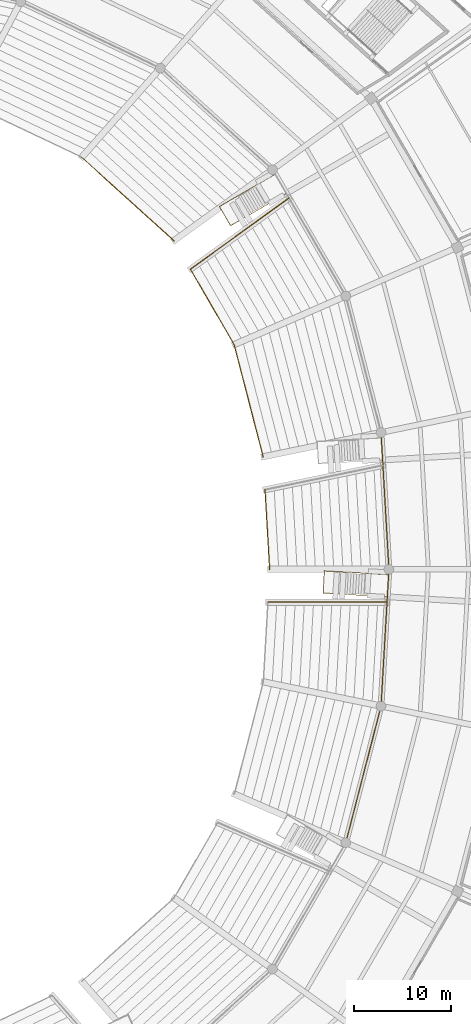
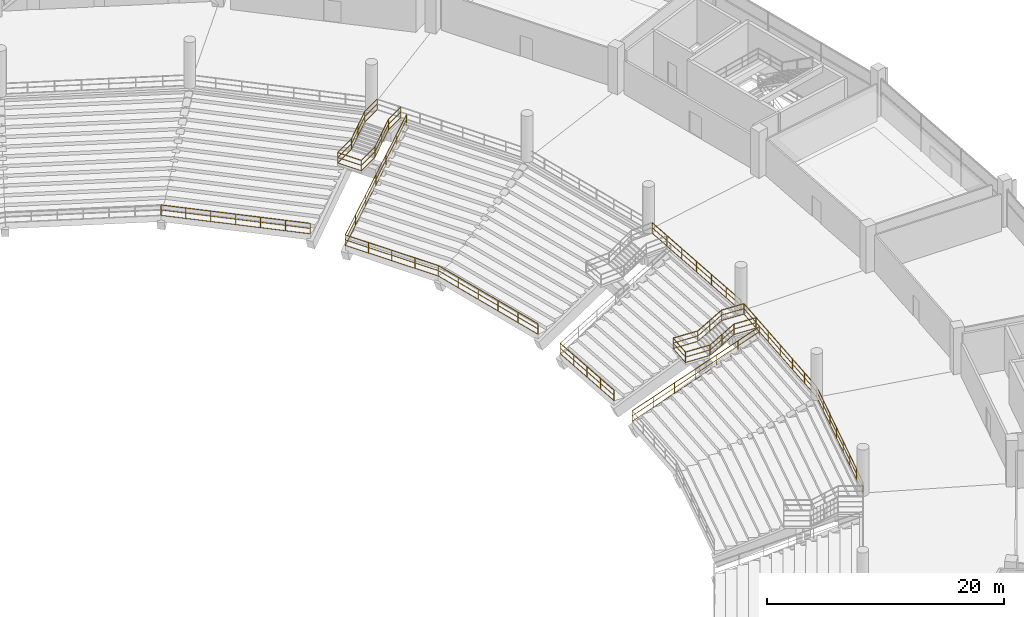
# One storey, part 150 of 156: 11 railings.
"""IFC4 building model written with IfcOpenShell, lengths in metres."""

from ifc_helpers import new_model, si_unit, direction, frame, origin, origin_2d, place, context, subcontext, project, spatial, rectangle, extrude, material, type_object, element, save


model = new_model("IFC4")

# Units and contexts
model_context = context("Model", 3, precision=1e-05, world=origin(), true_north=direction((0.0, 1.0)))
body_context = subcontext(model_context, "Body", "Model", "MODEL_VIEW")
ifc_project = project(units=[si_unit("LENGTHUNIT", "METRE"), si_unit("AREAUNIT", "SQUARE_METRE"), si_unit("VOLUMEUNIT", "CUBIC_METRE"), si_unit("PLANEANGLEUNIT", "RADIAN"), si_unit("MASSUNIT", "GRAM", prefix="KILO")], contexts=[model_context])

# Site, building, storey
site_placement = place(None, origin())
site = spatial("IfcSite", under=ifc_project, at=site_placement, CompositionType="ELEMENT")
building_placement = place(site_placement, origin())
building = spatial("IfcBuilding", under=site, at=building_placement, Name="Kazemori Nagisa Stadium", CompositionType="ELEMENT")
storey_placement = place(building_placement, frame((0.0, 0.0, 5.780029296875)))
storey = spatial("IfcBuildingStorey", under=building, at=storey_placement, Name="L01", CompositionType="ELEMENT", Elevation=5.780029296875)

# Railings
ifc_material_1 = material(Name="Laminated safety glass and stainless steel SUS304", Category="steel")
railing_type_1 = type_object("IfcRailingType", Name="Rail_BAL", PredefinedType="BALUSTRADE", material=ifc_material_1)
railing_1_placement = place(storey_placement, frame((192.35009765625, 102.0, 0.0)))
element("IfcRailing", 1, at=railing_1_placement, inside=storey, type_object=railing_type_1, Name="Concourse bowl balustrade L01-B01", PredefinedType="BALUSTRADE", context=body_context, shape_type="SweptSolid", body=[
    extrude(rectangle(XDim=0.050048828125, YDim=0.050048828125, at=origin_2d()), frame((0.0, 0.0, 1.09521484375), z_axis=(-0.057606145226, 0.998339387199, 0.0), x_axis=(-0.998339387199, -0.057606145226, 0.0)), (0.0, 0.0, 1.0), 13.634033203125),
    extrude(rectangle(XDim=0.03759765625, YDim=0.03759765625, at=origin_2d()), frame((0.0, 0.0, 0.58251953125), z_axis=(-0.057606145226, 0.998339387199, 0.0), x_axis=(-0.998339387199, -0.057606145226, 0.0)), (0.0, 0.0, 1.0), 13.634033203125),
    extrude(rectangle(XDim=0.03759765625, YDim=0.03759765625, at=origin_2d()), frame((0.0, 0.0, 0.02490234375), z_axis=(-0.057606145226, 0.998339387199, 0.0), x_axis=(-0.998339387199, -0.057606145226, 0.0)), (0.0, 0.0, 1.0), 13.634033203125),
    extrude(rectangle(XDim=0.044921875, YDim=0.044921875, at=origin_2d()), origin(), (0.0, 0.0, 1.0), 1.070068359375),
    extrude(rectangle(XDim=0.044921875, YDim=0.044921875, at=origin_2d()), frame((-0.130859375, 2.2685546875, 0.0)), (0.0, 0.0, 1.0), 1.070068359375),
    extrude(rectangle(XDim=0.044921875, YDim=0.044921875, at=origin_2d()), frame((-0.26171875, 4.537109375, 0.0)), (0.0, 0.0, 1.0), 1.070068359375),
    extrude(rectangle(XDim=0.044921875, YDim=0.044921875, at=origin_2d()), frame((-0.392578125, 6.8056640625, 0.0)), (0.0, 0.0, 1.0), 1.070068359375),
    extrude(rectangle(XDim=0.044921875, YDim=0.044921875, at=origin_2d()), frame((-0.523681640625, 9.07421875, 0.0)), (0.0, 0.0, 1.0), 1.070068359375),
    extrude(rectangle(XDim=0.044921875, YDim=0.044921875, at=origin_2d()), frame((-0.654541015625, 11.3427734375, 0.0)), (0.0, 0.0, 1.0), 1.070068359375),
    extrude(rectangle(XDim=0.044921875, YDim=0.044921875, at=origin_2d()), frame((-0.785400390625, 13.611328125, 0.0)), (0.0, 0.0, 1.0), 1.070068359375),
])
railing_2_placement = place(storey_placement, frame((187.885986328125, 73.712890625, 0.0)))
element("IfcRailing", 2, at=railing_2_placement, inside=storey, type_object=railing_type_1, Name="Concourse bowl balustrade L01-B27", PredefinedType="BALUSTRADE", context=body_context, shape_type="SweptSolid", body=[
    extrude(rectangle(XDim=0.050048828125, YDim=0.050048828125, at=origin_2d()), frame((0.0, 0.0, 1.09521484375), z_axis=(0.249966077383, 0.9682545947, 0.0), x_axis=(-0.9682545947, 0.249966077383, 0.0)), (0.0, 0.0, 1.0), 14.58984375),
    extrude(rectangle(XDim=0.03759765625, YDim=0.03759765625, at=origin_2d()), frame((0.0, 0.0, 0.58251953125), z_axis=(0.249966077383, 0.9682545947, 0.0), x_axis=(-0.9682545947, 0.249966077383, 0.0)), (0.0, 0.0, 1.0), 14.58984375),
    extrude(rectangle(XDim=0.03759765625, YDim=0.03759765625, at=origin_2d()), frame((0.0, 0.0, 0.02490234375), z_axis=(0.249966077383, 0.9682545947, 0.0), x_axis=(-0.9682545947, 0.249966077383, 0.0)), (0.0, 0.0, 1.0), 14.58984375),
    extrude(rectangle(XDim=0.044921875, YDim=0.044921875, at=origin_2d()), origin(), (0.0, 0.0, 1.0), 1.070068359375),
    extrude(rectangle(XDim=0.044921875, YDim=0.044921875, at=origin_2d()), frame((0.52099609375, 2.01806640625, 0.0)), (0.0, 0.0, 1.0), 1.070068359375),
    extrude(rectangle(XDim=0.044921875, YDim=0.044921875, at=origin_2d()), frame((1.0419921875, 4.0361328125, 0.0)), (0.0, 0.0, 1.0), 1.070068359375),
    extrude(rectangle(XDim=0.044921875, YDim=0.044921875, at=origin_2d()), frame((1.56298828125, 6.05419921875, 0.0)), (0.0, 0.0, 1.0), 1.070068359375),
    extrude(rectangle(XDim=0.044921875, YDim=0.044921875, at=origin_2d()), frame((2.083984375, 8.072509765625, 0.0)), (0.0, 0.0, 1.0), 1.070068359375),
    extrude(rectangle(XDim=0.044921875, YDim=0.044921875, at=origin_2d()), frame((2.60498046875, 10.090576171875, 0.0)), (0.0, 0.0, 1.0), 1.070068359375),
    extrude(rectangle(XDim=0.044921875, YDim=0.044921875, at=origin_2d()), frame((3.1259765625, 12.108642578125, 0.0)), (0.0, 0.0, 1.0), 1.070068359375),
    extrude(rectangle(XDim=0.044921875, YDim=0.044921875, at=origin_2d()), frame((3.64697265625, 14.126708984375, 0.0)), (0.0, 0.0, 1.0), 1.070068359375),
])
railing_3_placement = place(storey_placement, frame((191.532958984375, 87.839599609375, 0.0)))
element("IfcRailing", 3, at=railing_3_placement, inside=storey, type_object=railing_type_1, Name="Concourse bowl balustrade L01-B28", PredefinedType="BALUSTRADE", context=body_context, shape_type="SweptSolid", body=[
    extrude(rectangle(XDim=0.050048828125, YDim=0.050048828125, at=origin_2d()), frame((0.0, 0.0, 1.09521484375), z_axis=(0.057606145226, 0.998339387199, 0.0), x_axis=(-0.998339387199, 0.057606145226, 0.0)), (0.0, 0.0, 1.0), 13.634033203125),
    extrude(rectangle(XDim=0.03759765625, YDim=0.03759765625, at=origin_2d()), frame((0.0, 0.0, 0.58251953125), z_axis=(0.057606145226, 0.998339387199, 0.0), x_axis=(-0.998339387199, 0.057606145226, 0.0)), (0.0, 0.0, 1.0), 13.634033203125),
    extrude(rectangle(XDim=0.03759765625, YDim=0.03759765625, at=origin_2d()), frame((0.0, 0.0, 0.02490234375), z_axis=(0.057606145226, 0.998339387199, 0.0), x_axis=(-0.998339387199, 0.057606145226, 0.0)), (0.0, 0.0, 1.0), 13.634033203125),
    extrude(rectangle(XDim=0.044921875, YDim=0.044921875, at=origin_2d()), origin(), (0.0, 0.0, 1.0), 1.070068359375),
    extrude(rectangle(XDim=0.044921875, YDim=0.044921875, at=origin_2d()), frame((0.130859375, 2.2685546875, 0.0)), (0.0, 0.0, 1.0), 1.070068359375),
    extrude(rectangle(XDim=0.044921875, YDim=0.044921875, at=origin_2d()), frame((0.26171875, 4.537109375, 0.0)), (0.0, 0.0, 1.0), 1.070068359375),
    extrude(rectangle(XDim=0.044921875, YDim=0.044921875, at=origin_2d()), frame((0.392578125, 6.8056640625, 0.0)), (0.0, 0.0, 1.0), 1.070068359375),
    extrude(rectangle(XDim=0.044921875, YDim=0.044921875, at=origin_2d()), frame((0.523681640625, 9.07421875, 0.0)), (0.0, 0.0, 1.0), 1.070068359375),
    extrude(rectangle(XDim=0.044921875, YDim=0.044921875, at=origin_2d()), frame((0.654541015625, 11.3427734375, 0.0)), (0.0, 0.0, 1.0), 1.070068359375),
    extrude(rectangle(XDim=0.044921875, YDim=0.044921875, at=origin_2d()), frame((0.785400390625, 13.611328125, 0.0)), (0.0, 0.0, 1.0), 1.070068359375),
])
ifc_material_2 = material(Name="Galvanised powder-coated steel", Category="steel")
railing_type_2 = type_object("IfcRailingType", Name="Rail_GUARD", PredefinedType="GUARDRAIL", material=ifc_material_2)
railing_4_placement = place(storey_placement, frame((180.577392578125, 142.8916015625, 0.0)))
element("IfcRailing", 4, at=railing_4_placement, inside=storey, type_object=railing_type_2, Name="Vomitory stair guard VL02", PredefinedType="GUARDRAIL", context=body_context, shape_type="SweptSolid", body=[
    extrude(rectangle(XDim=0.050048828125, YDim=0.050048828125, at=origin_2d()), frame((0.0, 0.0, 1.09521484375), z_axis=(-0.865070542183, -0.501650233775, 0.0), x_axis=(0.501650233775, -0.865070542183, 0.0)), (0.0, 0.0, 1.0), 2.10009765625),
    extrude(rectangle(XDim=0.03759765625, YDim=0.03759765625, at=origin_2d()), frame((0.0, 0.0, 0.58251953125), z_axis=(-0.865070542183, -0.501650233775, 0.0), x_axis=(0.501650233775, -0.865070542183, 0.0)), (0.0, 0.0, 1.0), 2.10009765625),
    extrude(rectangle(XDim=0.03759765625, YDim=0.03759765625, at=origin_2d()), frame((0.0, 0.0, 0.02490234375), z_axis=(-0.865070542183, -0.501650233775, 0.0), x_axis=(0.501650233775, -0.865070542183, 0.0)), (0.0, 0.0, 1.0), 2.10009765625),
    extrude(rectangle(XDim=0.050048828125, YDim=0.050048828125, at=origin_2d()), frame((-1.816650390625, -1.053466796875, 1.09521484375), z_axis=(-0.72861764717, -0.422528773566, -0.539060070624), x_axis=(0.501656377923, -0.865066979192, 0.0)), (0.0, 0.0, 1.0), 2.671142578125),
    extrude(rectangle(XDim=0.03759765625, YDim=0.03759765625, at=origin_2d()), frame((-1.816650390625, -1.053466796875, 0.58251953125), z_axis=(-0.72861764717, -0.422528773566, -0.539060070624), x_axis=(0.501656377923, -0.865066979192, 0.0)), (0.0, 0.0, 1.0), 2.671142578125),
    extrude(rectangle(XDim=0.03759765625, YDim=0.03759765625, at=origin_2d()), frame((-1.816650390625, -1.053466796875, 0.02490234375), z_axis=(-0.72861764717, -0.422528773566, -0.539060070624), x_axis=(0.501656377923, -0.865066979192, 0.0)), (0.0, 0.0, 1.0), 2.671142578125),
    extrude(rectangle(XDim=0.050048828125, YDim=0.050048828125, at=origin_2d()), frame((-3.762939453125, -2.18212890625, -0.3447265625), z_axis=(-0.865130736866, -0.501546416726, 0.0), x_axis=(0.501546416726, -0.865130736866, 0.0)), (0.0, 0.0, 1.0), 2.320068359375),
    extrude(rectangle(XDim=0.03759765625, YDim=0.03759765625, at=origin_2d()), frame((-3.762939453125, -2.18212890625, -0.857421875), z_axis=(-0.865130736866, -0.501546416726, 0.0), x_axis=(0.501546416726, -0.865130736866, 0.0)), (0.0, 0.0, 1.0), 2.320068359375),
    extrude(rectangle(XDim=0.03759765625, YDim=0.03759765625, at=origin_2d()), frame((-3.762939453125, -2.18212890625, -1.4150390625), z_axis=(-0.865130736866, -0.501546416726, 0.0), x_axis=(0.501546416726, -0.865130736866, 0.0)), (0.0, 0.0, 1.0), 2.320068359375),
    extrude(rectangle(XDim=0.050048828125, YDim=0.050048828125, at=origin_2d()), frame((-5.77001953125, -3.345703125, -0.3447265625), z_axis=(0.501559221539, -0.865123313343, 0.0), x_axis=(0.865123313343, 0.501559221539, 0.0)), (0.0, 0.0, 1.0), 2.300048828125),
    extrude(rectangle(XDim=0.03759765625, YDim=0.03759765625, at=origin_2d()), frame((-5.77001953125, -3.345703125, -0.857421875), z_axis=(0.501559221539, -0.865123313343, 0.0), x_axis=(0.865123313343, 0.501559221539, 0.0)), (0.0, 0.0, 1.0), 2.300048828125),
    extrude(rectangle(XDim=0.03759765625, YDim=0.03759765625, at=origin_2d()), frame((-5.77001953125, -3.345703125, -1.4150390625), z_axis=(0.501559221539, -0.865123313343, 0.0), x_axis=(0.865123313343, 0.501559221539, 0.0)), (0.0, 0.0, 1.0), 2.300048828125),
    extrude(rectangle(XDim=0.050048828125, YDim=0.050048828125, at=origin_2d()), frame((-4.616455078125, -5.33544921875, -0.3447265625), z_axis=(0.865085074212, 0.501625173187, 0.0), x_axis=(-0.501625173187, 0.865085074212, 0.0)), (0.0, 0.0, 1.0), 2.320068359375),
    extrude(rectangle(XDim=0.03759765625, YDim=0.03759765625, at=origin_2d()), frame((-4.616455078125, -5.33544921875, -0.857421875), z_axis=(0.865085074212, 0.501625173187, 0.0), x_axis=(-0.501625173187, 0.865085074212, 0.0)), (0.0, 0.0, 1.0), 2.320068359375),
    extrude(rectangle(XDim=0.03759765625, YDim=0.03759765625, at=origin_2d()), frame((-4.616455078125, -5.33544921875, -1.4150390625), z_axis=(0.865085074212, 0.501625173187, 0.0), x_axis=(-0.501625173187, 0.865085074212, 0.0)), (0.0, 0.0, 1.0), 2.320068359375),
    extrude(rectangle(XDim=0.050048828125, YDim=0.050048828125, at=origin_2d()), frame((-2.609375, -4.171630859375, -0.3447265625), z_axis=(0.728688652937, 0.422425555484, 0.539044986206), x_axis=(-0.501528081562, 0.865141366139, 0.0)), (0.0, 0.0, 1.0), 2.67138671875),
    extrude(rectangle(XDim=0.03759765625, YDim=0.03759765625, at=origin_2d()), frame((-2.609375, -4.171630859375, -0.857421875), z_axis=(0.728688652937, 0.422425555484, 0.539044986206), x_axis=(-0.501528081562, 0.865141366139, 0.0)), (0.0, 0.0, 1.0), 2.67138671875),
    extrude(rectangle(XDim=0.03759765625, YDim=0.03759765625, at=origin_2d()), frame((-2.609375, -4.171630859375, -1.4150390625), z_axis=(0.728688652937, 0.422425555484, 0.539044986206), x_axis=(-0.501528081562, 0.865141366139, 0.0)), (0.0, 0.0, 1.0), 2.67138671875),
    extrude(rectangle(XDim=0.050048828125, YDim=0.050048828125, at=origin_2d()), frame((-0.662841796875, -3.043212890625, 1.09521484375), z_axis=(0.865070542183, 0.501650233775, 0.0), x_axis=(-0.501650233775, 0.865070542183, 0.0)), (0.0, 0.0, 1.0), 2.10009765625),
    extrude(rectangle(XDim=0.03759765625, YDim=0.03759765625, at=origin_2d()), frame((-0.662841796875, -3.043212890625, 0.58251953125), z_axis=(0.865070542183, 0.501650233775, 0.0), x_axis=(-0.501650233775, 0.865070542183, 0.0)), (0.0, 0.0, 1.0), 2.10009765625),
    extrude(rectangle(XDim=0.03759765625, YDim=0.03759765625, at=origin_2d()), frame((-0.662841796875, -3.043212890625, 0.02490234375), z_axis=(0.865070542183, 0.501650233775, 0.0), x_axis=(-0.501650233775, 0.865070542183, 0.0)), (0.0, 0.0, 1.0), 2.10009765625),
    extrude(rectangle(XDim=0.044921875, YDim=0.044921875, at=origin_2d()), origin(), (0.0, 0.0, 1.0), 1.070068359375),
    extrude(rectangle(XDim=0.044921875, YDim=0.044921875, at=origin_2d()), frame((-1.816650390625, -1.053466796875, 0.0)), (0.0, 0.0, 1.0), 1.070068359375),
    extrude(rectangle(XDim=0.044921875, YDim=0.044921875, at=origin_2d()), frame((-2.789794921875, -1.61767578125, -0.719970703125)), (0.0, 0.0, 1.0), 1.070068359375),
    extrude(rectangle(XDim=0.044921875, YDim=0.044921875, at=origin_2d()), frame((-3.762939453125, -2.18212890625, -1.43994140625)), (0.0, 0.0, 1.0), 1.070068359375),
    extrude(rectangle(XDim=0.044921875, YDim=0.044921875, at=origin_2d()), frame((-5.77001953125, -3.345703125, -1.43994140625)), (0.0, 0.0, 1.0), 1.070068359375),
    extrude(rectangle(XDim=0.044921875, YDim=0.044921875, at=origin_2d()), frame((-4.616455078125, -5.33544921875, -1.43994140625)), (0.0, 0.0, 1.0), 1.070068359375),
    extrude(rectangle(XDim=0.044921875, YDim=0.044921875, at=origin_2d()), frame((-2.609375, -4.171630859375, -1.43994140625)), (0.0, 0.0, 1.0), 1.070068359375),
    extrude(rectangle(XDim=0.044921875, YDim=0.044921875, at=origin_2d()), frame((-1.63623046875, -3.607421875, -0.719970703125)), (0.0, 0.0, 1.0), 1.070068359375),
    extrude(rectangle(XDim=0.044921875, YDim=0.044921875, at=origin_2d()), frame((-0.662841796875, -3.043212890625, 0.0)), (0.0, 0.0, 1.0), 1.070068359375),
    extrude(rectangle(XDim=0.044921875, YDim=0.044921875, at=origin_2d()), frame((1.15380859375, -1.98974609375, 0.0)), (0.0, 0.0, 1.0), 1.070068359375),
])
railing_5_placement = place(storey_placement, frame((192.318359375, 101.450927734375, 0.0)))
element("IfcRailing", 5, at=railing_5_placement, inside=storey, type_object=railing_type_2, Name="Vomitory stair guard VL12", PredefinedType="GUARDRAIL", context=body_context, shape_type="SweptSolid", body=[
    extrude(rectangle(XDim=0.050048828125, YDim=0.050048828125, at=origin_2d()), frame((0.0, 0.0, 1.09521484375), z_axis=(-0.998342640362, 0.057549738789, 0.0), x_axis=(-0.057549738789, -0.998342640362, 0.0)), (0.0, 0.0, 1.0), 2.099853515625),
    extrude(rectangle(XDim=0.03759765625, YDim=0.03759765625, at=origin_2d()), frame((0.0, 0.0, 0.58251953125), z_axis=(-0.998342640362, 0.057549738789, 0.0), x_axis=(-0.057549738789, -0.998342640362, 0.0)), (0.0, 0.0, 1.0), 2.099853515625),
    extrude(rectangle(XDim=0.03759765625, YDim=0.03759765625, at=origin_2d()), frame((0.0, 0.0, 0.02490234375), z_axis=(-0.998342640362, 0.057549738789, 0.0), x_axis=(-0.057549738789, -0.998342640362, 0.0)), (0.0, 0.0, 1.0), 2.099853515625),
    extrude(rectangle(XDim=0.050048828125, YDim=0.050048828125, at=origin_2d()), frame((-2.096435546875, 0.120849609375, 1.09521484375), z_axis=(-0.840890420226, 0.048528726567, -0.539025290566), x_axis=(-0.057615252206, -0.998338861666, 0.0)), (0.0, 0.0, 1.0), 2.67138671875),
    extrude(rectangle(XDim=0.03759765625, YDim=0.03759765625, at=origin_2d()), frame((-2.096435546875, 0.120849609375, 0.58251953125), z_axis=(-0.840890420226, 0.048528726567, -0.539025290566), x_axis=(-0.057615252206, -0.998338861666, 0.0)), (0.0, 0.0, 1.0), 2.67138671875),
    extrude(rectangle(XDim=0.03759765625, YDim=0.03759765625, at=origin_2d()), frame((-2.096435546875, 0.120849609375, 0.02490234375), z_axis=(-0.840890420226, 0.048528726567, -0.539025290566), x_axis=(-0.057615252206, -0.998338861666, 0.0)), (0.0, 0.0, 1.0), 2.67138671875),
    extrude(rectangle(XDim=0.050048828125, YDim=0.050048828125, at=origin_2d()), frame((-4.3427734375, 0.25048828125, -0.3447265625), z_axis=(-0.998335866434, 0.057667129209, 0.0), x_axis=(-0.057667129209, -0.998335866434, 0.0)), (0.0, 0.0, 1.0), 2.320068359375),
    extrude(rectangle(XDim=0.03759765625, YDim=0.03759765625, at=origin_2d()), frame((-4.3427734375, 0.25048828125, -0.857421875), z_axis=(-0.998335866434, 0.057667129209, 0.0), x_axis=(-0.057667129209, -0.998335866434, 0.0)), (0.0, 0.0, 1.0), 2.320068359375),
    extrude(rectangle(XDim=0.03759765625, YDim=0.03759765625, at=origin_2d()), frame((-4.3427734375, 0.25048828125, -1.4150390625), z_axis=(-0.998335866434, 0.057667129209, 0.0), x_axis=(-0.057667129209, -0.998335866434, 0.0)), (0.0, 0.0, 1.0), 2.320068359375),
    extrude(rectangle(XDim=0.050048828125, YDim=0.050048828125, at=origin_2d()), frame((-6.658935546875, 0.38427734375, -0.3447265625), z_axis=(-0.057633153394, -0.998337828408, 0.0), x_axis=(0.998337828408, -0.057633153394, 0.0)), (0.0, 0.0, 1.0), 2.30029296875),
    extrude(rectangle(XDim=0.03759765625, YDim=0.03759765625, at=origin_2d()), frame((-6.658935546875, 0.38427734375, -0.857421875), z_axis=(-0.057633153394, -0.998337828408, 0.0), x_axis=(0.998337828408, -0.057633153394, 0.0)), (0.0, 0.0, 1.0), 2.30029296875),
    extrude(rectangle(XDim=0.03759765625, YDim=0.03759765625, at=origin_2d()), frame((-6.658935546875, 0.38427734375, -1.4150390625), z_axis=(-0.057633153394, -0.998337828408, 0.0), x_axis=(0.998337828408, -0.057633153394, 0.0)), (0.0, 0.0, 1.0), 2.30029296875),
    extrude(rectangle(XDim=0.050048828125, YDim=0.050048828125, at=origin_2d()), frame((-6.79150390625, -1.912109375, -0.3447265625), z_axis=(0.998341919289, -0.057562246216, 0.0), x_axis=(0.057562246216, 0.998341919289, 0.0)), (0.0, 0.0, 1.0), 2.320068359375),
    extrude(rectangle(XDim=0.03759765625, YDim=0.03759765625, at=origin_2d()), frame((-6.79150390625, -1.912109375, -0.857421875), z_axis=(0.998341919289, -0.057562246216, 0.0), x_axis=(0.057562246216, 0.998341919289, 0.0)), (0.0, 0.0, 1.0), 2.320068359375),
    extrude(rectangle(XDim=0.03759765625, YDim=0.03759765625, at=origin_2d()), frame((-6.79150390625, -1.912109375, -1.4150390625), z_axis=(0.998341919289, -0.057562246216, 0.0), x_axis=(0.057562246216, 0.998341919289, 0.0)), (0.0, 0.0, 1.0), 2.320068359375),
    extrude(rectangle(XDim=0.050048828125, YDim=0.050048828125, at=origin_2d()), frame((-4.475341796875, -2.045654296875, -0.3447265625), z_axis=(0.840890420226, -0.048528726567, 0.539025290566), x_axis=(0.057615252206, 0.998338861666, 0.0)), (0.0, 0.0, 1.0), 2.67138671875),
    extrude(rectangle(XDim=0.03759765625, YDim=0.03759765625, at=origin_2d()), frame((-4.475341796875, -2.045654296875, -0.857421875), z_axis=(0.840890420226, -0.048528726567, 0.539025290566), x_axis=(0.057615252206, 0.998338861666, 0.0)), (0.0, 0.0, 1.0), 2.67138671875),
    extrude(rectangle(XDim=0.03759765625, YDim=0.03759765625, at=origin_2d()), frame((-4.475341796875, -2.045654296875, -1.4150390625), z_axis=(0.840890420226, -0.048528726567, 0.539025290566), x_axis=(0.057615252206, 0.998338861666, 0.0)), (0.0, 0.0, 1.0), 2.67138671875),
    extrude(rectangle(XDim=0.050048828125, YDim=0.050048828125, at=origin_2d()), frame((-2.22900390625, -2.17529296875, 1.09521484375), z_axis=(0.998342640362, -0.057549738789, 0.0), x_axis=(0.057549738789, 0.998342640362, 0.0)), (0.0, 0.0, 1.0), 2.099853515625),
    extrude(rectangle(XDim=0.03759765625, YDim=0.03759765625, at=origin_2d()), frame((-2.22900390625, -2.17529296875, 0.58251953125), z_axis=(0.998342640362, -0.057549738789, 0.0), x_axis=(0.057549738789, 0.998342640362, 0.0)), (0.0, 0.0, 1.0), 2.099853515625),
    extrude(rectangle(XDim=0.03759765625, YDim=0.03759765625, at=origin_2d()), frame((-2.22900390625, -2.17529296875, 0.02490234375), z_axis=(0.998342640362, -0.057549738789, 0.0), x_axis=(0.057549738789, 0.998342640362, 0.0)), (0.0, 0.0, 1.0), 2.099853515625),
    extrude(rectangle(XDim=0.044921875, YDim=0.044921875, at=origin_2d()), origin(), (0.0, 0.0, 1.0), 1.070068359375),
    extrude(rectangle(XDim=0.044921875, YDim=0.044921875, at=origin_2d()), frame((-2.096435546875, 0.120849609375, 0.0)), (0.0, 0.0, 1.0), 1.070068359375),
    extrude(rectangle(XDim=0.044921875, YDim=0.044921875, at=origin_2d()), frame((-3.2197265625, 0.185546875, -0.719970703125)), (0.0, 0.0, 1.0), 1.070068359375),
    extrude(rectangle(XDim=0.044921875, YDim=0.044921875, at=origin_2d()), frame((-4.3427734375, 0.25048828125, -1.43994140625)), (0.0, 0.0, 1.0), 1.070068359375),
    extrude(rectangle(XDim=0.044921875, YDim=0.044921875, at=origin_2d()), frame((-6.658935546875, 0.38427734375, -1.43994140625)), (0.0, 0.0, 1.0), 1.070068359375),
    extrude(rectangle(XDim=0.044921875, YDim=0.044921875, at=origin_2d()), frame((-6.79150390625, -1.912109375, -1.43994140625)), (0.0, 0.0, 1.0), 1.070068359375),
    extrude(rectangle(XDim=0.044921875, YDim=0.044921875, at=origin_2d()), frame((-4.475341796875, -2.045654296875, -1.43994140625)), (0.0, 0.0, 1.0), 1.070068359375),
    extrude(rectangle(XDim=0.044921875, YDim=0.044921875, at=origin_2d()), frame((-3.35205078125, -2.1103515625, -0.719970703125)), (0.0, 0.0, 1.0), 1.070068359375),
    extrude(rectangle(XDim=0.044921875, YDim=0.044921875, at=origin_2d()), frame((-2.22900390625, -2.17529296875, 0.0)), (0.0, 0.0, 1.0), 1.070068359375),
    extrude(rectangle(XDim=0.044921875, YDim=0.044921875, at=origin_2d()), frame((-0.132568359375, -2.296142578125, 0.0)), (0.0, 0.0, 1.0), 1.070068359375),
])
railing_6_placement = place(storey_placement, frame((180.0, 102.0, -4.919921875)))
element("IfcRailing", 6, at=railing_6_placement, inside=storey, type_object=railing_type_2, Name="Lower tier pitch-side crowd barrier B01", PredefinedType="GUARDRAIL", context=body_context, shape_type="SweptSolid", body=[
    extrude(rectangle(XDim=0.050048828125, YDim=0.050048828125, at=origin_2d()), frame((0.0, 0.0, 1.09521484375), z_axis=(-0.057592001772, 0.998340203203, 0.0), x_axis=(-0.998340203203, -0.057592001772, 0.0)), (0.0, 0.0, 1.0), 8.2578125),
    extrude(rectangle(XDim=0.03759765625, YDim=0.03759765625, at=origin_2d()), frame((0.0, 0.0, 0.58251953125), z_axis=(-0.057592001772, 0.998340203203, 0.0), x_axis=(-0.998340203203, -0.057592001772, 0.0)), (0.0, 0.0, 1.0), 8.2578125),
    extrude(rectangle(XDim=0.03759765625, YDim=0.03759765625, at=origin_2d()), frame((0.0, 0.0, 0.02490234375), z_axis=(-0.057592001772, 0.998340203203, 0.0), x_axis=(-0.998340203203, -0.057592001772, 0.0)), (0.0, 0.0, 1.0), 8.2578125),
    extrude(rectangle(XDim=0.044921875, YDim=0.044921875, at=origin_2d()), origin(), (0.0, 0.0, 1.0), 1.070068359375),
    extrude(rectangle(XDim=0.044921875, YDim=0.044921875, at=origin_2d()), frame((-0.118896484375, 2.06103515625, 0.0)), (0.0, 0.0, 1.0), 1.070068359375),
    extrude(rectangle(XDim=0.044921875, YDim=0.044921875, at=origin_2d()), frame((-0.23779296875, 4.1220703125, 0.0)), (0.0, 0.0, 1.0), 1.070068359375),
    extrude(rectangle(XDim=0.044921875, YDim=0.044921875, at=origin_2d()), frame((-0.356689453125, 6.18310546875, 0.0)), (0.0, 0.0, 1.0), 1.070068359375),
    extrude(rectangle(XDim=0.044921875, YDim=0.044921875, at=origin_2d()), frame((-0.4755859375, 8.244140625, 0.0)), (0.0, 0.0, 1.0), 1.070068359375),
])
railing_7_placement = place(storey_placement, frame((179.328369140625, 113.638671875, -4.919921875)))
element("IfcRailing", 7, at=railing_7_placement, inside=storey, type_object=railing_type_2, Name="Lower tier pitch-side crowd barrier B02", PredefinedType="GUARDRAIL", context=body_context, shape_type="SweptSolid", body=[
    extrude(rectangle(XDim=0.050048828125, YDim=0.050048828125, at=origin_2d()), frame((0.0, 0.0, 1.09521484375), z_axis=(-0.249948828341, 0.968259047575, 0.0), x_axis=(-0.968259047575, -0.249948828341, 0.0)), (0.0, 0.0, 1.0), 11.99169921875),
    extrude(rectangle(XDim=0.03759765625, YDim=0.03759765625, at=origin_2d()), frame((0.0, 0.0, 0.58251953125), z_axis=(-0.249948828341, 0.968259047575, 0.0), x_axis=(-0.968259047575, -0.249948828341, 0.0)), (0.0, 0.0, 1.0), 11.99169921875),
    extrude(rectangle(XDim=0.03759765625, YDim=0.03759765625, at=origin_2d()), frame((0.0, 0.0, 0.02490234375), z_axis=(-0.249948828341, 0.968259047575, 0.0), x_axis=(-0.968259047575, -0.249948828341, 0.0)), (0.0, 0.0, 1.0), 11.99169921875),
    extrude(rectangle(XDim=0.044921875, YDim=0.044921875, at=origin_2d()), origin(), (0.0, 0.0, 1.0), 1.070068359375),
    extrude(rectangle(XDim=0.044921875, YDim=0.044921875, at=origin_2d()), frame((-0.599365234375, 2.322265625, 0.0)), (0.0, 0.0, 1.0), 1.070068359375),
    extrude(rectangle(XDim=0.044921875, YDim=0.044921875, at=origin_2d()), frame((-1.198974609375, 4.64453125, 0.0)), (0.0, 0.0, 1.0), 1.070068359375),
    extrude(rectangle(XDim=0.044921875, YDim=0.044921875, at=origin_2d()), frame((-1.79833984375, 6.966552734375, 0.0)), (0.0, 0.0, 1.0), 1.070068359375),
    extrude(rectangle(XDim=0.044921875, YDim=0.044921875, at=origin_2d()), frame((-2.39794921875, 9.288818359375, 0.0)), (0.0, 0.0, 1.0), 1.070068359375),
    extrude(rectangle(XDim=0.044921875, YDim=0.044921875, at=origin_2d()), frame((-2.997314453125, 11.611083984375, 0.0)), (0.0, 0.0, 1.0), 1.070068359375),
])
railing_8_placement = place(storey_placement, frame((176.3310546875, 125.249755859375, -4.919921875)))
element("IfcRailing", 8, at=railing_8_placement, inside=storey, type_object=railing_type_2, Name="Lower tier pitch-side crowd barrier B03", PredefinedType="GUARDRAIL", context=body_context, shape_type="SweptSolid", body=[
    extrude(rectangle(XDim=0.050048828125, YDim=0.050048828125, at=origin_2d()), frame((0.0, 0.0, 1.09521484375), z_axis=(-0.501616093736, 0.865090338927, 0.0), x_axis=(-0.865090338927, -0.501616093736, 0.0)), (0.0, 0.0, 1.0), 9.02734375),
    extrude(rectangle(XDim=0.03759765625, YDim=0.03759765625, at=origin_2d()), frame((0.0, 0.0, 0.58251953125), z_axis=(-0.501616093736, 0.865090338927, 0.0), x_axis=(-0.865090338927, -0.501616093736, 0.0)), (0.0, 0.0, 1.0), 9.02734375),
    extrude(rectangle(XDim=0.03759765625, YDim=0.03759765625, at=origin_2d()), frame((0.0, 0.0, 0.02490234375), z_axis=(-0.501616093736, 0.865090338927, 0.0), x_axis=(-0.865090338927, -0.501616093736, 0.0)), (0.0, 0.0, 1.0), 9.02734375),
    extrude(rectangle(XDim=0.044921875, YDim=0.044921875, at=origin_2d()), origin(), (0.0, 0.0, 1.0), 1.070068359375),
    extrude(rectangle(XDim=0.044921875, YDim=0.044921875, at=origin_2d()), frame((-1.132080078125, 1.952392578125, 0.0)), (0.0, 0.0, 1.0), 1.070068359375),
    extrude(rectangle(XDim=0.044921875, YDim=0.044921875, at=origin_2d()), frame((-2.26416015625, 3.90478515625, 0.0)), (0.0, 0.0, 1.0), 1.070068359375),
    extrude(rectangle(XDim=0.044921875, YDim=0.044921875, at=origin_2d()), frame((-3.396240234375, 5.857177734375, 0.0)), (0.0, 0.0, 1.0), 1.070068359375),
    extrude(rectangle(XDim=0.044921875, YDim=0.044921875, at=origin_2d()), frame((-4.5283203125, 7.8095703125, 0.0)), (0.0, 0.0, 1.0), 1.070068359375),
])
railing_9_placement = place(storey_placement, frame((171.802734375, 133.059326171875, -4.919921875)))
element("IfcRailing", 9, at=railing_9_placement, inside=storey, type_object=railing_type_2, Name="Lower tier vomitory aisle guard B03", PredefinedType="GUARDRAIL", context=body_context, shape_type="SweptSolid", body=[
    extrude(rectangle(XDim=0.050048828125, YDim=0.050048828125, at=origin_2d()), frame((0.0, 0.0, 1.09521484375), z_axis=(0.766880366613, 0.553624618565, 0.324644859843), x_axis=(-0.585328350757, 0.810796350387, 0.0)), (0.0, 0.0, 1.0), 13.306396484375),
    extrude(rectangle(XDim=0.03759765625, YDim=0.03759765625, at=origin_2d()), frame((0.0, 0.0, 0.58251953125), z_axis=(0.766880366613, 0.553624618565, 0.324644859843), x_axis=(-0.585328350757, 0.810796350387, 0.0)), (0.0, 0.0, 1.0), 13.306396484375),
    extrude(rectangle(XDim=0.03759765625, YDim=0.03759765625, at=origin_2d()), frame((0.0, 0.0, 0.02490234375), z_axis=(0.766880366613, 0.553624618565, 0.324644859843), x_axis=(-0.585328350757, 0.810796350387, 0.0)), (0.0, 0.0, 1.0), 13.306396484375),
    extrude(rectangle(XDim=0.044921875, YDim=0.044921875, at=origin_2d()), origin(), (0.0, 0.0, 1.0), 1.070068359375),
    extrude(rectangle(XDim=0.044921875, YDim=0.044921875, at=origin_2d()), frame((1.70068359375, 1.227783203125, 0.719970703125)), (0.0, 0.0, 1.0), 1.070068359375),
    extrude(rectangle(XDim=0.044921875, YDim=0.044921875, at=origin_2d()), frame((3.4013671875, 2.45556640625, 1.43994140625)), (0.0, 0.0, 1.0), 1.070068359375),
    extrude(rectangle(XDim=0.044921875, YDim=0.044921875, at=origin_2d()), frame((5.10205078125, 3.683349609375, 2.159912109375)), (0.0, 0.0, 1.0), 1.070068359375),
    extrude(rectangle(XDim=0.044921875, YDim=0.044921875, at=origin_2d()), frame((6.802978515625, 4.9111328125, 2.8798828125)), (0.0, 0.0, 1.0), 1.070068359375),
    extrude(rectangle(XDim=0.044921875, YDim=0.044921875, at=origin_2d()), frame((8.503662109375, 6.138916015625, 3.599853515625)), (0.0, 0.0, 1.0), 1.070068359375),
    extrude(rectangle(XDim=0.044921875, YDim=0.044921875, at=origin_2d()), frame((10.204345703125, 7.36669921875, 4.31982421875)), (0.0, 0.0, 1.0), 1.070068359375),
])
railing_10_placement = place(storey_placement, frame((170.09716796875, 136.00048828125, -4.919921875)))
element("IfcRailing", 10, at=railing_10_placement, inside=storey, type_object=railing_type_2, Name="Lower tier pitch-side crowd barrier B04", PredefinedType="GUARDRAIL", context=body_context, shape_type="SweptSolid", body=[
    extrude(rectangle(XDim=0.050048828125, YDim=0.050048828125, at=origin_2d()), frame((0.0, 0.0, 1.09521484375), z_axis=(-0.741338850776, 0.67113091743, 0.0), x_axis=(-0.67113091743, -0.741338850776, 0.0)), (0.0, 0.0, 1.0), 12.866455078125),
    extrude(rectangle(XDim=0.03759765625, YDim=0.03759765625, at=origin_2d()), frame((0.0, 0.0, 0.58251953125), z_axis=(-0.741338850776, 0.67113091743, 0.0), x_axis=(-0.67113091743, -0.741338850776, 0.0)), (0.0, 0.0, 1.0), 12.866455078125),
    extrude(rectangle(XDim=0.03759765625, YDim=0.03759765625, at=origin_2d()), frame((0.0, 0.0, 0.02490234375), z_axis=(-0.741338850776, 0.67113091743, 0.0), x_axis=(-0.67113091743, -0.741338850776, 0.0)), (0.0, 0.0, 1.0), 12.866455078125),
    extrude(rectangle(XDim=0.044921875, YDim=0.044921875, at=origin_2d()), origin(), (0.0, 0.0, 1.0), 1.070068359375),
    extrude(rectangle(XDim=0.044921875, YDim=0.044921875, at=origin_2d()), frame((-1.58984375, 1.439208984375, 0.0)), (0.0, 0.0, 1.0), 1.070068359375),
    extrude(rectangle(XDim=0.044921875, YDim=0.044921875, at=origin_2d()), frame((-3.179443359375, 2.87841796875, 0.0)), (0.0, 0.0, 1.0), 1.070068359375),
    extrude(rectangle(XDim=0.044921875, YDim=0.044921875, at=origin_2d()), frame((-4.76904296875, 4.3173828125, 0.0)), (0.0, 0.0, 1.0), 1.070068359375),
    extrude(rectangle(XDim=0.044921875, YDim=0.044921875, at=origin_2d()), frame((-6.35888671875, 5.756591796875, 0.0)), (0.0, 0.0, 1.0), 1.070068359375),
    extrude(rectangle(XDim=0.044921875, YDim=0.044921875, at=origin_2d()), frame((-7.94873046875, 7.19580078125, 0.0)), (0.0, 0.0, 1.0), 1.070068359375),
    extrude(rectangle(XDim=0.044921875, YDim=0.044921875, at=origin_2d()), frame((-9.538330078125, 8.635009765625, 0.0)), (0.0, 0.0, 1.0), 1.070068359375),
])
railing_11_placement = place(storey_placement, frame((179.80419921875, 98.605712890625, -4.919921875)))
element("IfcRailing", 11, at=railing_11_placement, inside=storey, type_object=railing_type_2, Name="Lower tier vomitory aisle guard B28", PredefinedType="GUARDRAIL", context=body_context, shape_type="SweptSolid", body=[
    extrude(rectangle(XDim=0.050048828125, YDim=0.050048828125, at=origin_2d()), frame((0.0, 0.0, 1.09521484375), z_axis=(0.943920886091, 0.0, 0.330171714115), x_axis=(0.0, 1.0, 0.0)), (0.0, 0.0, 1.0), 13.08349609375),
    extrude(rectangle(XDim=0.03759765625, YDim=0.03759765625, at=origin_2d()), frame((0.0, 0.0, 0.58251953125), z_axis=(0.943920886091, 0.0, 0.330171714115), x_axis=(0.0, 1.0, 0.0)), (0.0, 0.0, 1.0), 13.08349609375),
    extrude(rectangle(XDim=0.03759765625, YDim=0.03759765625, at=origin_2d()), frame((0.0, 0.0, 0.02490234375), z_axis=(0.943920886091, 0.0, 0.330171714115), x_axis=(0.0, 1.0, 0.0)), (0.0, 0.0, 1.0), 13.08349609375),
    extrude(rectangle(XDim=0.044921875, YDim=0.044921875, at=origin_2d()), origin(), (0.0, 0.0, 1.0), 1.070068359375),
    extrude(rectangle(XDim=0.044921875, YDim=0.044921875, at=origin_2d()), frame((2.058349609375, 0.0, 0.719970703125)), (0.0, 0.0, 1.0), 1.070068359375),
    extrude(rectangle(XDim=0.044921875, YDim=0.044921875, at=origin_2d()), frame((4.11669921875, 0.0, 1.43994140625)), (0.0, 0.0, 1.0), 1.070068359375),
    extrude(rectangle(XDim=0.044921875, YDim=0.044921875, at=origin_2d()), frame((6.1748046875, 0.0, 2.159912109375)), (0.0, 0.0, 1.0), 1.070068359375),
    extrude(rectangle(XDim=0.044921875, YDim=0.044921875, at=origin_2d()), frame((8.233154296875, 0.0, 2.8798828125)), (0.0, 0.0, 1.0), 1.070068359375),
    extrude(rectangle(XDim=0.044921875, YDim=0.044921875, at=origin_2d()), frame((10.29150390625, 0.0, 3.599853515625)), (0.0, 0.0, 1.0), 1.070068359375),
    extrude(rectangle(XDim=0.044921875, YDim=0.044921875, at=origin_2d()), frame((12.349853515625, 0.0, 4.31982421875)), (0.0, 0.0, 1.0), 1.070068359375),
])

save(model, "model.ifc")
